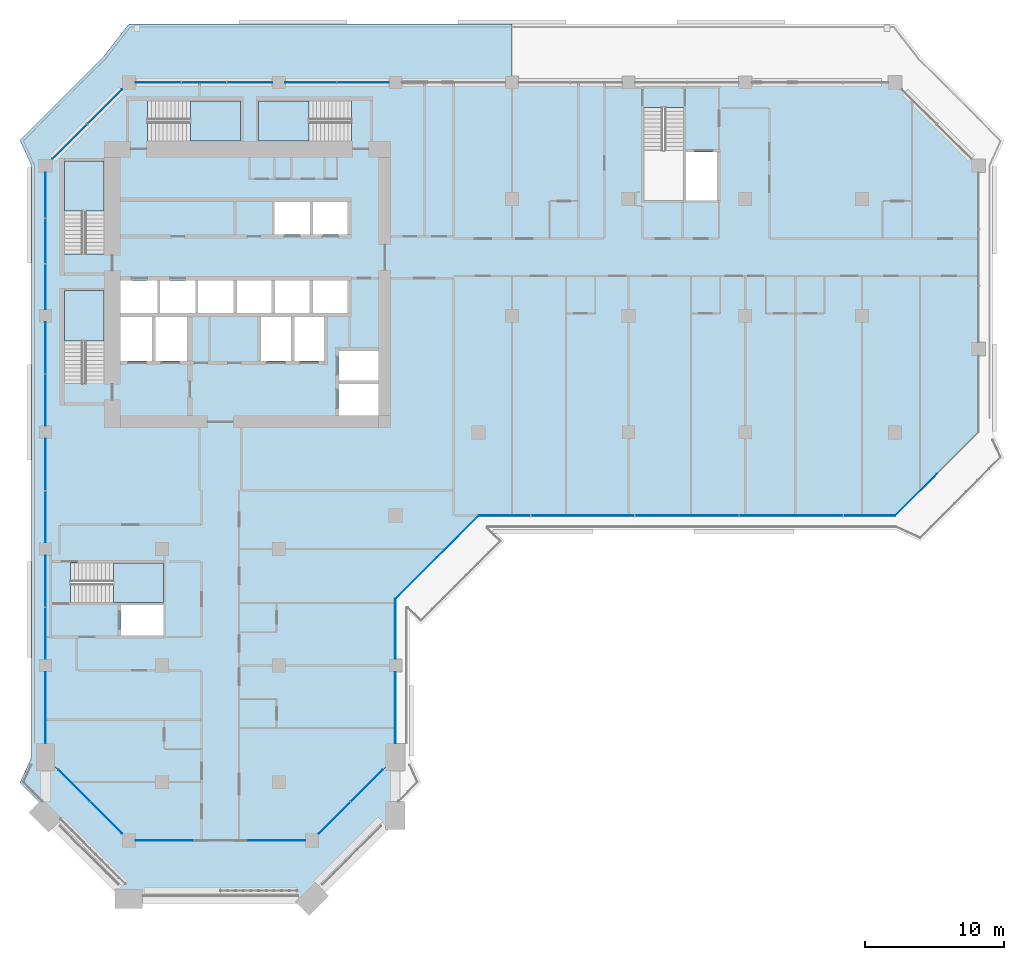
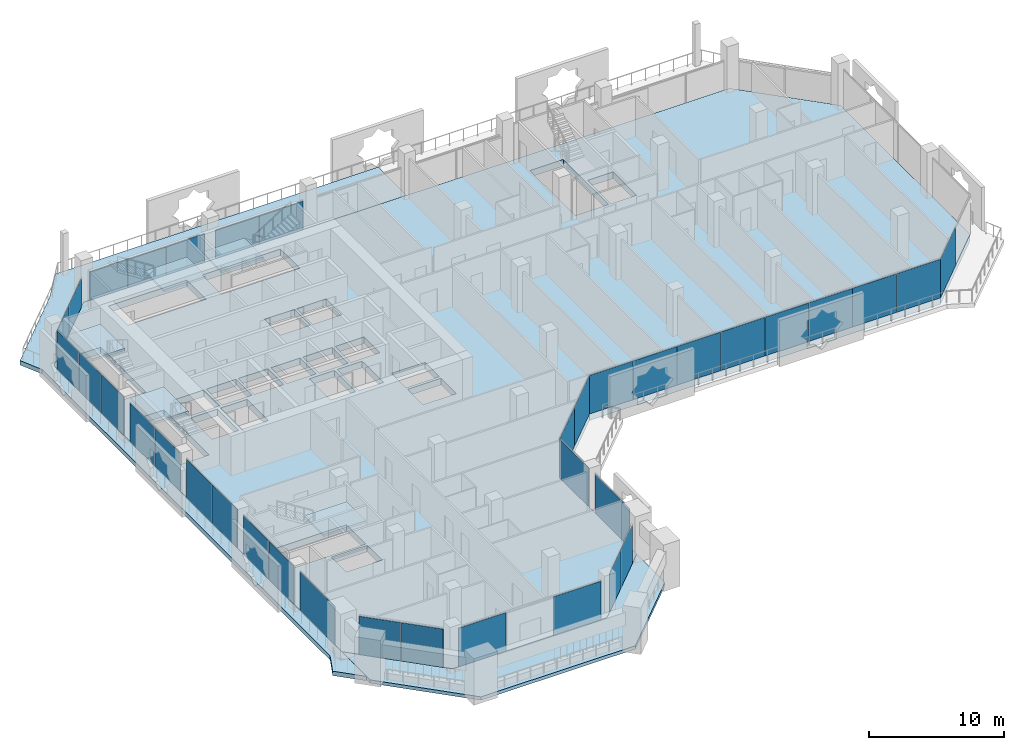
# One storey, part 8 of 22: 36 plates, 8 slabs, 15 elements without a shape of their own.
"""IFC4 building model written with IfcOpenShell, lengths in metres."""

from ifc_helpers import new_model, si_unit, direction, frame, origin, origin_2d, place, context, subcontext, project, spatial, polyline, rectangle, outline, extrude, material, layer, layer_set, type_object, element, aggregate, save


model = new_model("IFC4")

# Units and contexts
model_context = context("Model", 3, precision=1e-05, world=origin(), true_north=direction((0.0, 1.0)))
body_context = subcontext(model_context, "Body", "Model", "MODEL_VIEW")
ifc_project = project(units=[si_unit("LENGTHUNIT", "METRE"), si_unit("AREAUNIT", "SQUARE_METRE"), si_unit("VOLUMEUNIT", "CUBIC_METRE"), si_unit("PLANEANGLEUNIT", "RADIAN"), si_unit("MASSUNIT", "GRAM", prefix="KILO")], contexts=[model_context])

# Site, building, storey
site_placement = place(None, origin())
site = spatial("IfcSite", under=ifc_project, at=site_placement, CompositionType="ELEMENT")
building_placement = place(site_placement, origin())
building = spatial("IfcBuilding", under=site, at=building_placement, Name="Kawkab Arch Medical Tower", CompositionType="ELEMENT")
storey_placement = place(building_placement, frame((0.0, 0.0, 171.0)))
storey = spatial("IfcBuildingStorey", under=building, at=storey_placement, Name="L39", CompositionType="ELEMENT", Elevation=171.0)

# Curtain wall, plates
ifc_material_1 = material(Name="Bronze anodised aluminium curtain wall frame", Category="aluminium")
ifc_layer_1 = layer(ifc_material_1, 0.159912109375)
ifc_layer_set_1 = layer_set([ifc_layer_1], Name="Bronze anodised aluminium curtain wall frame")
curtain_wall_type_1 = type_object("IfcCurtainWallType", Name="CW1 ward curtain wall", PredefinedType="NOTDEFINED", material=ifc_layer_set_1)
placement_1 = place(storey_placement, origin())
curtain_wall_1 = element("IfcCurtainWall", 1, at=placement_1, inside=storey, type_object=curtain_wall_type_1, Name="CW1 Ward curtain wall R01", PredefinedType="NOTDEFINED")
ifc_material_2 = material(Name="Tinted insulating glass, bronze low-e coating", Category="glass")
ifc_layer_2 = layer(ifc_material_2, 0.031982421875)
ifc_layer_set_2 = layer_set([ifc_layer_2], Name="Tinted insulating glass, bronze low-e coating")
plate_type_1 = type_object("IfcPlateType", Name="CW1 glazing unit 32", PredefinedType="CURTAIN_PANEL", material=ifc_layer_set_2)
plate_1_placement = place(storey_placement, frame((0.0, -8.12255859375, 0.0), z_axis=(0.0, 0.0, 1.0), x_axis=(0.0, -1.0, 0.0)))
plate_1 = element("IfcPlate", 2, at=plate_1_placement, type_object=plate_type_1, Name="CW1 glazing unit 1.1", PredefinedType="CURTAIN_PANEL", context=body_context, shape_type="SweptSolid", body=[
    extrude(rectangle(XDim=3.2451171875, YDim=0.031982421875, at=origin_2d()), origin(), (0.0, 0.0, 1.0), 3.47998046875),
])
plate_2_placement = place(storey_placement, frame((0.0, -11.41259765625, 0.0), z_axis=(0.0, 0.0, 1.0), x_axis=(0.0, -1.0, 0.0)))
plate_2 = element("IfcPlate", 3, at=plate_2_placement, type_object=plate_type_1, Name="CW1 glazing unit 1.2", PredefinedType="CURTAIN_PANEL", context=body_context, shape_type="SweptSolid", body=[
    extrude(rectangle(XDim=3.215087890625, YDim=0.031982421875, at=origin_2d()), origin(), (0.0, 0.0, 1.0), 3.47998046875),
])
plate_3_placement = place(storey_placement, frame((0.0, -14.702392578125, 0.0), z_axis=(0.0, 0.0, 1.0), x_axis=(0.0, -1.0, 0.0)))
plate_3 = element("IfcPlate", 4, at=plate_3_placement, type_object=plate_type_1, Name="CW1 glazing unit 1.3", PredefinedType="CURTAIN_PANEL", context=body_context, shape_type="SweptSolid", body=[
    extrude(rectangle(XDim=3.2451171875, YDim=0.031982421875, at=origin_2d()), origin(), (0.0, 0.0, 1.0), 3.47998046875),
])
plate_4_placement = place(storey_placement, frame((0.0, -19.12255859375, 0.0), z_axis=(0.0, 0.0, 1.0), x_axis=(0.0, -1.0, 0.0)))
plate_4 = element("IfcPlate", 5, at=plate_4_placement, type_object=plate_type_1, Name="CW1 glazing unit 2.1", PredefinedType="CURTAIN_PANEL", context=body_context, shape_type="SweptSolid", body=[
    extrude(rectangle(XDim=3.695068359375, YDim=0.031982421875, at=origin_2d()), origin(), (0.0, 0.0, 1.0), 3.47998046875),
])
plate_5_placement = place(storey_placement, frame((0.0, -22.87744140625, 0.0), z_axis=(0.0, 0.0, 1.0), x_axis=(0.0, -1.0, 0.0)))
plate_5 = element("IfcPlate", 6, at=plate_5_placement, type_object=plate_type_1, Name="CW1 glazing unit 2.2", PredefinedType="CURTAIN_PANEL", context=body_context, shape_type="SweptSolid", body=[
    extrude(rectangle(XDim=3.695068359375, YDim=0.031982421875, at=origin_2d()), origin(), (0.0, 0.0, 1.0), 3.47998046875),
])
plate_6_placement = place(storey_placement, frame((0.0, -27.5224609375, 0.0), z_axis=(0.0, 0.0, 1.0), x_axis=(0.0, -1.0, 0.0)))
plate_6 = element("IfcPlate", 7, at=plate_6_placement, type_object=plate_type_1, Name="CW1 glazing unit 3.1", PredefinedType="CURTAIN_PANEL", context=body_context, shape_type="SweptSolid", body=[
    extrude(rectangle(XDim=3.695068359375, YDim=0.031982421875, at=origin_2d()), origin(), (0.0, 0.0, 1.0), 3.47998046875),
])
plate_7_placement = place(storey_placement, frame((0.0, -31.277587890625, 0.0), z_axis=(0.0, 0.0, 1.0), x_axis=(0.0, -1.0, 0.0)))
plate_7 = element("IfcPlate", 8, at=plate_7_placement, type_object=plate_type_1, Name="CW1 glazing unit 3.2", PredefinedType="CURTAIN_PANEL", context=body_context, shape_type="SweptSolid", body=[
    extrude(rectangle(XDim=3.695068359375, YDim=0.031982421875, at=origin_2d()), origin(), (0.0, 0.0, 1.0), 3.47998046875),
])
plate_8_placement = place(storey_placement, frame((0.0, -35.922607421875, 0.0), z_axis=(0.0, 0.0, 1.0), x_axis=(0.0, -1.0, 0.0)))
plate_8 = element("IfcPlate", 9, at=plate_8_placement, type_object=plate_type_1, Name="CW1 glazing unit 4.1", PredefinedType="CURTAIN_PANEL", context=body_context, shape_type="SweptSolid", body=[
    extrude(rectangle(XDim=3.695068359375, YDim=0.031982421875, at=origin_2d()), origin(), (0.0, 0.0, 1.0), 3.47998046875),
])
plate_9_placement = place(storey_placement, frame((0.0, -39.677490234375, 0.0), z_axis=(0.0, 0.0, 1.0), x_axis=(0.0, -1.0, 0.0)))
plate_9 = element("IfcPlate", 10, at=plate_9_placement, type_object=plate_type_1, Name="CW1 glazing unit 4.2", PredefinedType="CURTAIN_PANEL", context=body_context, shape_type="SweptSolid", body=[
    extrude(rectangle(XDim=3.695068359375, YDim=0.031982421875, at=origin_2d()), origin(), (0.0, 0.0, 1.0), 3.47998046875),
])
plate_10_placement = place(storey_placement, frame((0.0, -45.03759765625, 0.0), z_axis=(0.0, 0.0, 1.0), x_axis=(0.0, -1.0, 0.0)))
plate_10 = element("IfcPlate", 11, at=plate_10_placement, type_object=plate_type_1, Name="CW1 glazing unit 5.1", PredefinedType="CURTAIN_PANEL", context=body_context, shape_type="SweptSolid", body=[
    extrude(rectangle(XDim=5.125, YDim=0.031982421875, at=origin_2d()), origin(), (0.0, 0.0, 1.0), 3.47998046875),
])
aggregate(curtain_wall_1, [plate_1, plate_2, plate_3, plate_4, plate_5, plate_6, plate_7, plate_8, plate_9, plate_10])

curtain_wall_2 = element("IfcCurtainWall", 12, at=placement_1, inside=storey, type_object=curtain_wall_type_1, Name="CW1 Ward curtain wall R03", PredefinedType="NOTDEFINED")
plate_11_placement = place(storey_placement, frame((8.533447265625, -54.60009765625, 0.0), z_axis=(0.0, 0.0, 1.0), x_axis=(1.0, 0.0, 0.0)))
plate_11 = element("IfcPlate", 13, at=plate_11_placement, type_object=plate_type_1, Name="CW1 glazing unit 1.1", PredefinedType="CURTAIN_PANEL", context=body_context, shape_type="SweptSolid", body=[
    extrude(rectangle(XDim=4.066650390625, YDim=0.031982421875, at=origin_2d()), origin(), (0.0, 0.0, 1.0), 3.47998046875),
])
plate_12_placement = place(storey_placement, frame((16.666748046875, -54.60009765625, 0.0), z_axis=(0.0, 0.0, 1.0), x_axis=(1.0, 0.0, 0.0)))
plate_12 = element("IfcPlate", 14, at=plate_12_placement, type_object=plate_type_1, Name="CW1 glazing unit 1.3", PredefinedType="CURTAIN_PANEL", context=body_context, shape_type="SweptSolid", body=[
    extrude(rectangle(XDim=4.066650390625, YDim=0.031982421875, at=origin_2d()), origin(), (0.0, 0.0, 1.0), 3.47998046875),
])
aggregate(curtain_wall_2, [plate_11, plate_12])

curtain_wall_3 = element("IfcCurtainWall", 15, at=placement_1, inside=storey, type_object=curtain_wall_type_1, Name="CW1 Ward curtain wall R05", PredefinedType="NOTDEFINED")
plate_13_placement = place(storey_placement, frame((25.199951171875, -45.03759765625, 0.0), z_axis=(0.0, 0.0, 1.0), x_axis=(0.0, 1.0, 0.0)))
plate_13 = element("IfcPlate", 16, at=plate_13_placement, type_object=plate_type_1, Name="CW1 glazing unit 1.1", PredefinedType="CURTAIN_PANEL", context=body_context, shape_type="SweptSolid", body=[
    extrude(rectangle(XDim=5.125, YDim=0.031982421875, at=origin_2d()), origin(), (0.0, 0.0, 1.0), 3.47998046875),
])
plate_14_placement = place(storey_placement, frame((25.199951171875, -39.362548828125, 0.0), z_axis=(0.0, 0.0, 1.0), x_axis=(0.0, 1.0, 0.0)))
plate_14 = element("IfcPlate", 17, at=plate_14_placement, type_object=plate_type_1, Name="CW1 glazing unit 2.1", PredefinedType="CURTAIN_PANEL", context=body_context, shape_type="SweptSolid", body=[
    extrude(rectangle(XDim=4.324951171875, YDim=0.031982421875, at=origin_2d()), origin(), (0.0, 0.0, 1.0), 3.47998046875),
])
aggregate(curtain_wall_3, [plate_13, plate_14])

curtain_wall_4 = element("IfcCurtainWall", 18, at=placement_1, inside=storey, type_object=curtain_wall_type_1, Name="CW1 Ward curtain wall R07", PredefinedType="NOTDEFINED")
plate_15_placement = place(storey_placement, frame((33.06005859375, -31.199951171875, 0.0), z_axis=(0.0, 0.0, 1.0), x_axis=(1.0, 0.0, 0.0)))
plate_15 = element("IfcPlate", 19, at=plate_15_placement, type_object=plate_type_1, Name="CW1 glazing unit 1.1", PredefinedType="CURTAIN_PANEL", context=body_context, shape_type="SweptSolid", body=[
    extrude(rectangle(XDim=3.719970703125, YDim=0.031982421875, at=origin_2d()), origin(), (0.0, 0.0, 1.0), 3.47998046875),
])
plate_16_placement = place(storey_placement, frame((36.840087890625, -31.199951171875, 0.0), z_axis=(0.0, 0.0, 1.0), x_axis=(1.0, 0.0, 0.0)))
plate_16 = element("IfcPlate", 20, at=plate_16_placement, type_object=plate_type_1, Name="CW1 glazing unit 1.2", PredefinedType="CURTAIN_PANEL", context=body_context, shape_type="SweptSolid", body=[
    extrude(rectangle(XDim=3.719970703125, YDim=0.031982421875, at=origin_2d()), origin(), (0.0, 0.0, 1.0), 3.47998046875),
])
plate_17_placement = place(storey_placement, frame((40.56005859375, -31.199951171875, 0.0), z_axis=(0.0, 0.0, 1.0), x_axis=(1.0, 0.0, 0.0)))
plate_17 = element("IfcPlate", 21, at=plate_17_placement, type_object=plate_type_1, Name="CW1 glazing unit 2.1", PredefinedType="CURTAIN_PANEL", context=body_context, shape_type="SweptSolid", body=[
    extrude(rectangle(XDim=3.719970703125, YDim=0.031982421875, at=origin_2d()), origin(), (0.0, 0.0, 1.0), 3.47998046875),
])
plate_18_placement = place(storey_placement, frame((44.340087890625, -31.199951171875, 0.0), z_axis=(0.0, 0.0, 1.0), x_axis=(1.0, 0.0, 0.0)))
plate_18 = element("IfcPlate", 22, at=plate_18_placement, type_object=plate_type_1, Name="CW1 glazing unit 2.2", PredefinedType="CURTAIN_PANEL", context=body_context, shape_type="SweptSolid", body=[
    extrude(rectangle(XDim=3.719970703125, YDim=0.031982421875, at=origin_2d()), origin(), (0.0, 0.0, 1.0), 3.47998046875),
])
plate_19_placement = place(storey_placement, frame((48.06005859375, -31.199951171875, 0.0), z_axis=(0.0, 0.0, 1.0), x_axis=(1.0, 0.0, 0.0)))
plate_19 = element("IfcPlate", 23, at=plate_19_placement, type_object=plate_type_1, Name="CW1 glazing unit 3.1", PredefinedType="CURTAIN_PANEL", context=body_context, shape_type="SweptSolid", body=[
    extrude(rectangle(XDim=3.719970703125, YDim=0.031982421875, at=origin_2d()), origin(), (0.0, 0.0, 1.0), 3.47998046875),
])
plate_20_placement = place(storey_placement, frame((51.840087890625, -31.199951171875, 0.0), z_axis=(0.0, 0.0, 1.0), x_axis=(1.0, 0.0, 0.0)))
plate_20 = element("IfcPlate", 24, at=plate_20_placement, type_object=plate_type_1, Name="CW1 glazing unit 3.2", PredefinedType="CURTAIN_PANEL", context=body_context, shape_type="SweptSolid", body=[
    extrude(rectangle(XDim=3.719970703125, YDim=0.031982421875, at=origin_2d()), origin(), (0.0, 0.0, 1.0), 3.47998046875),
])
plate_21_placement = place(storey_placement, frame((55.56005859375, -31.199951171875, 0.0), z_axis=(0.0, 0.0, 1.0), x_axis=(1.0, 0.0, 0.0)))
plate_21 = element("IfcPlate", 25, at=plate_21_placement, type_object=plate_type_1, Name="CW1 glazing unit 4.1", PredefinedType="CURTAIN_PANEL", context=body_context, shape_type="SweptSolid", body=[
    extrude(rectangle(XDim=3.719970703125, YDim=0.031982421875, at=origin_2d()), origin(), (0.0, 0.0, 1.0), 3.47998046875),
])
plate_22_placement = place(storey_placement, frame((59.340087890625, -31.199951171875, 0.0), z_axis=(0.0, 0.0, 1.0), x_axis=(1.0, 0.0, 0.0)))
plate_22 = element("IfcPlate", 26, at=plate_22_placement, type_object=plate_type_1, Name="CW1 glazing unit 4.2", PredefinedType="CURTAIN_PANEL", context=body_context, shape_type="SweptSolid", body=[
    extrude(rectangle(XDim=3.719970703125, YDim=0.031982421875, at=origin_2d()), origin(), (0.0, 0.0, 1.0), 3.47998046875),
])
aggregate(curtain_wall_4, [plate_15, plate_16, plate_17, plate_18, plate_19, plate_20, plate_21, plate_22])

curtain_wall_5 = element("IfcCurtainWall", 27, at=placement_1, inside=storey, type_object=curtain_wall_type_1, Name="CW1 Ward curtain wall R11", PredefinedType="NOTDEFINED")
plate_23_placement = place(storey_placement, frame((22.87744140625, 0.0, 0.0), z_axis=(0.0, 0.0, 1.0), x_axis=(-1.0, 0.0, 0.0)))
plate_23 = element("IfcPlate", 28, at=plate_23_placement, type_object=plate_type_1, Name="CW1 glazing unit 5.1", PredefinedType="CURTAIN_PANEL", context=body_context, shape_type="SweptSolid", body=[
    extrude(rectangle(XDim=3.695068359375, YDim=0.031982421875, at=origin_2d()), origin(), (0.0, 0.0, 1.0), 2.580078125),
])
plate_24_placement = place(storey_placement, frame((19.12255859375, 0.0, 0.0), z_axis=(0.0, 0.0, 1.0), x_axis=(-1.0, 0.0, 0.0)))
plate_24 = element("IfcPlate", 29, at=plate_24_placement, type_object=plate_type_1, Name="CW1 glazing unit 5.2", PredefinedType="CURTAIN_PANEL", context=body_context, shape_type="SweptSolid", body=[
    extrude(rectangle(XDim=3.695068359375, YDim=0.031982421875, at=origin_2d()), origin(), (0.0, 0.0, 1.0), 2.580078125),
])
plate_25_placement = place(storey_placement, frame((14.702392578125, 0.0, 0.0), z_axis=(0.0, 0.0, 1.0), x_axis=(-1.0, 0.0, 0.0)))
plate_25 = element("IfcPlate", 30, at=plate_25_placement, type_object=plate_type_1, Name="CW1 glazing unit 6.1", PredefinedType="CURTAIN_PANEL", context=body_context, shape_type="SweptSolid", body=[
    extrude(rectangle(XDim=3.2451171875, YDim=0.031982421875, at=origin_2d()), origin(), (0.0, 0.0, 1.0), 2.580078125),
])
plate_26_placement = place(storey_placement, frame((11.41259765625, 0.0, 0.0), z_axis=(0.0, 0.0, 1.0), x_axis=(-1.0, 0.0, 0.0)))
plate_26 = element("IfcPlate", 31, at=plate_26_placement, type_object=plate_type_1, Name="CW1 glazing unit 6.2", PredefinedType="CURTAIN_PANEL", context=body_context, shape_type="SweptSolid", body=[
    extrude(rectangle(XDim=3.215087890625, YDim=0.031982421875, at=origin_2d()), origin(), (0.0, 0.0, 1.0), 2.580078125),
])
plate_27_placement = place(storey_placement, frame((8.12255859375, 0.0, 0.0), z_axis=(0.0, 0.0, 1.0), x_axis=(-1.0, 0.0, 0.0)))
plate_27 = element("IfcPlate", 32, at=plate_27_placement, type_object=plate_type_1, Name="CW1 glazing unit 6.3", PredefinedType="CURTAIN_PANEL", context=body_context, shape_type="SweptSolid", body=[
    extrude(rectangle(XDim=3.2451171875, YDim=0.031982421875, at=origin_2d()), origin(), (0.0, 0.0, 1.0), 2.580078125),
])
aggregate(curtain_wall_5, [plate_23, plate_24, plate_25, plate_26, plate_27])

ifc_material_3 = material(Name="Bronze anodised aluminium curtain wall frame", Category="aluminium")
ifc_layer_3 = layer(ifc_material_3, 0.159912109375)
ifc_layer_set_3 = layer_set([ifc_layer_3], Name="Bronze anodised aluminium curtain wall frame")
curtain_wall_type_2 = type_object("IfcCurtainWallType", Name="CW2 chamfer curtain wall", PredefinedType="NOTDEFINED", material=ifc_layer_set_3)
curtain_wall_6 = element("IfcCurtainWall", 33, at=placement_1, inside=storey, type_object=curtain_wall_type_2, Name="CW2 Chamfer curtain wall R02", PredefinedType="NOTDEFINED")
ifc_material_4 = material(Name="Tinted insulating glass, bronze low-e coating", Category="glass")
ifc_layer_4 = layer(ifc_material_4, 0.031982421875)
ifc_layer_set_4 = layer_set([ifc_layer_4], Name="Tinted insulating glass, bronze low-e coating")
plate_type_2 = type_object("IfcPlateType", Name="CW2 glazing unit 32", PredefinedType="CURTAIN_PANEL", material=ifc_layer_set_4)
plate_28_placement = place(storey_placement, frame((2.062255859375, -50.662109375, 0.0), z_axis=(0.0, 0.0, 1.0), x_axis=(0.707106781187, -0.707106781187, 0.0)))
plate_28 = element("IfcPlate", 34, at=plate_28_placement, type_object=plate_type_2, Name="CW2 glazing unit 1.1", PredefinedType="CURTAIN_PANEL", context=body_context, shape_type="SweptSolid", body=[
    extrude(rectangle(XDim=3.201171875, YDim=0.031982421875, at=origin_2d()), origin(), (0.0, 0.0, 1.0), 3.4599609375),
])
plate_29_placement = place(storey_placement, frame((4.3681640625, -52.96826171875, 0.0), z_axis=(0.0, 0.0, 1.0), x_axis=(0.707106781187, -0.707106781187, 0.0)))
plate_29 = element("IfcPlate", 35, at=plate_29_placement, type_object=plate_type_2, Name="CW2 glazing unit 1.2", PredefinedType="CURTAIN_PANEL", context=body_context, shape_type="SweptSolid", body=[
    extrude(rectangle(XDim=3.201171875, YDim=0.031982421875, at=origin_2d()), origin(), (0.0, 0.0, 1.0), 3.4599609375),
])
aggregate(curtain_wall_6, [plate_28, plate_29])

curtain_wall_7 = element("IfcCurtainWall", 36, at=placement_1, inside=storey, type_object=curtain_wall_type_2, Name="CW2 Chamfer curtain wall R04", PredefinedType="NOTDEFINED")
plate_30_placement = place(storey_placement, frame((20.831787109375, -52.96826171875, 0.0), z_axis=(0.0, 0.0, 1.0), x_axis=(0.707106781187, 0.707106781187, 0.0)))
plate_30 = element("IfcPlate", 37, at=plate_30_placement, type_object=plate_type_2, Name="CW2 glazing unit 1.1", PredefinedType="CURTAIN_PANEL", context=body_context, shape_type="SweptSolid", body=[
    extrude(rectangle(XDim=3.201171875, YDim=0.031982421875, at=origin_2d()), origin(), (0.0, 0.0, 1.0), 3.4599609375),
])
plate_31_placement = place(storey_placement, frame((23.137939453125, -50.662109375, 0.0), z_axis=(0.0, 0.0, 1.0), x_axis=(0.707106781187, 0.707106781187, 0.0)))
plate_31 = element("IfcPlate", 38, at=plate_31_placement, type_object=plate_type_2, Name="CW2 glazing unit 1.2", PredefinedType="CURTAIN_PANEL", context=body_context, shape_type="SweptSolid", body=[
    extrude(rectangle(XDim=3.201171875, YDim=0.031982421875, at=origin_2d()), origin(), (0.0, 0.0, 1.0), 3.4599609375),
])
aggregate(curtain_wall_7, [plate_30, plate_31])

curtain_wall_8 = element("IfcCurtainWall", 39, at=placement_1, inside=storey, type_object=curtain_wall_type_2, Name="CW2 Chamfer curtain wall R06", PredefinedType="NOTDEFINED")
plate_32_placement = place(storey_placement, frame((26.699951171875, -35.699951171875, 0.0), z_axis=(0.0, 0.0, 1.0), x_axis=(0.707106781187, 0.707106781187, 0.0)))
plate_32 = element("IfcPlate", 40, at=plate_32_placement, type_object=plate_type_2, Name="CW2 glazing unit 1.1", PredefinedType="CURTAIN_PANEL", context=body_context, shape_type="SweptSolid", body=[
    extrude(rectangle(XDim=4.24267578125, YDim=0.031982421875, at=origin_2d()), origin(), (0.0, 0.0, 1.0), 3.4599609375),
])
plate_33_placement = place(storey_placement, frame((29.699951171875, -32.699951171875, 0.0), z_axis=(0.0, 0.0, 1.0), x_axis=(0.707106781187, 0.707106781187, 0.0)))
plate_33 = element("IfcPlate", 41, at=plate_33_placement, type_object=plate_type_2, Name="CW2 glazing unit 2.1", PredefinedType="CURTAIN_PANEL", context=body_context, shape_type="SweptSolid", body=[
    extrude(rectangle(XDim=4.24267578125, YDim=0.031982421875, at=origin_2d()), origin(), (0.0, 0.0, 1.0), 3.4599609375),
])
aggregate(curtain_wall_8, [plate_32, plate_33])

# Curtain wall, plate
curtain_wall_9 = element("IfcCurtainWall", 42, at=placement_1, inside=storey, type_object=curtain_wall_type_2, Name="CW2 Chamfer curtain wall R08", PredefinedType="NOTDEFINED")
plate_34_placement = place(storey_placement, frame((62.699951171875, -29.699951171875, 0.0), z_axis=(0.0, 0.0, 1.0), x_axis=(0.707106781187, 0.707106781187, 0.0)))
plate_34 = element("IfcPlate", 43, at=plate_34_placement, type_object=plate_type_2, Name="CW2 glazing unit 1.1", PredefinedType="CURTAIN_PANEL", context=body_context, shape_type="SweptSolid", body=[
    extrude(rectangle(XDim=4.24267578125, YDim=0.031982421875, at=origin_2d()), origin(), (0.0, 0.0, 1.0), 3.4599609375),
])
aggregate(curtain_wall_9, [plate_34])

# Curtain wall, plates
curtain_wall_10 = element("IfcCurtainWall", 44, at=placement_1, inside=storey, type_object=curtain_wall_type_2, Name="CW2 Chamfer curtain wall R12", PredefinedType="NOTDEFINED")
plate_35_placement = place(storey_placement, frame((4.260498046875, -1.739501953125, 0.0), z_axis=(0.0, 0.0, 1.0), x_axis=(-0.707106781187, -0.707106781187, 0.0)))
plate_35 = element("IfcPlate", 45, at=plate_35_placement, type_object=plate_type_2, Name="CW2 glazing unit 1.1", PredefinedType="CURTAIN_PANEL", context=body_context, shape_type="SweptSolid", body=[
    extrude(rectangle(XDim=3.505615234375, YDim=0.031982421875, at=origin_2d()), origin(), (0.0, 0.0, 1.0), 2.56005859375),
])
plate_36_placement = place(storey_placement, frame((1.739501953125, -4.260498046875, 0.0), z_axis=(0.0, 0.0, 1.0), x_axis=(-0.707106781187, -0.707106781187, 0.0)))
plate_36 = element("IfcPlate", 46, at=plate_36_placement, type_object=plate_type_2, Name="CW2 glazing unit 1.2", PredefinedType="CURTAIN_PANEL", context=body_context, shape_type="SweptSolid", body=[
    extrude(rectangle(XDim=3.505615234375, YDim=0.031982421875, at=origin_2d()), origin(), (0.0, 0.0, 1.0), 2.56005859375),
])
aggregate(curtain_wall_10, [plate_35, plate_36])

# Stair, slab
ifc_material_5 = material(Name="Concrete C40/50", Category="concrete")
stair_type = type_object("IfcStairType", Name="Exit stair 1350", PredefinedType="HALF_TURN_STAIR", material=ifc_material_5)
stair_1 = element("IfcStair", 47, at=placement_1, inside=storey, type_object=stair_type, Name="L39 Exit stair ST1", PredefinedType="HALF_TURN_STAIR")
ifc_material_6 = material(Name="Concrete C40/50", Category="concrete")
ifc_layer_5 = layer(ifc_material_6, 0.199951171875)
ifc_layer_set_5 = layer_set([ifc_layer_5], Name="Concrete C40/50")
slab_type_1 = type_object("IfcSlabType", Name="Exit stair landing 200", PredefinedType="LANDING", material=ifc_layer_set_5)
placement_2 = place(storey_placement, frame((0.0, 0.0, 1.89990234375)))
slab_1 = element("IfcSlab", 48, at=placement_2, type_object=slab_type_1, Name="ST1 landing 1", PredefinedType="LANDING", context=body_context, shape_type="SweptSolid", body=[
    extrude(outline(polyline([(4.199951171875, -9.27001953125), (4.199951171875, -5.64990234375), (1.35009765625, -5.64990234375), (1.35009765625, -9.27001953125), (4.199951171875, -9.27001953125)])), origin(), (0.0, 0.0, 1.0), 0.2001953125),
])
aggregate(stair_1, [slab_1])

stair_2 = element("IfcStair", 49, at=placement_1, inside=storey, type_object=stair_type, Name="L39 Exit stair ST2", PredefinedType="HALF_TURN_STAIR")
slab_2 = element("IfcSlab", 50, at=placement_2, type_object=slab_type_1, Name="ST2 landing 1", PredefinedType="LANDING", context=body_context, shape_type="SweptSolid", body=[
    extrude(outline(polyline([(4.199951171875, -18.6201171875), (4.199951171875, -15.0), (1.35009765625, -15.0), (1.35009765625, -18.6201171875), (4.199951171875, -18.6201171875)])), origin(), (0.0, 0.0, 1.0), 0.2001953125),
])
aggregate(stair_2, [slab_2])

stair_3 = element("IfcStair", 51, at=placement_1, inside=storey, type_object=stair_type, Name="L39 Exit stair ST3", PredefinedType="HALF_TURN_STAIR")
slab_3 = element("IfcSlab", 52, at=placement_2, type_object=slab_type_1, Name="ST3 landing 1", PredefinedType="LANDING", context=body_context, shape_type="SweptSolid", body=[
    extrude(outline(polyline([(10.429931640625, -4.199951171875), (14.050048828125, -4.199951171875), (14.050048828125, -1.35009765625), (10.429931640625, -1.35009765625), (10.429931640625, -4.199951171875)])), origin(), (0.0, 0.0, 1.0), 0.2001953125),
])
aggregate(stair_3, [slab_3])

stair_4 = element("IfcStair", 53, at=placement_1, inside=storey, type_object=stair_type, Name="L39 Exit stair ST4", PredefinedType="HALF_TURN_STAIR")
slab_4 = element("IfcSlab", 54, at=placement_2, type_object=slab_type_1, Name="ST4 landing 1", PredefinedType="LANDING", context=body_context, shape_type="SweptSolid", body=[
    extrude(outline(polyline([(18.969970703125, -1.35009765625), (15.35009765625, -1.35009765625), (15.35009765625, -4.199951171875), (18.969970703125, -4.199951171875), (18.969970703125, -1.35009765625)])), origin(), (0.0, 0.0, 1.0), 0.2001953125),
])
aggregate(stair_4, [slab_4])

stair_5 = element("IfcStair", 55, at=placement_1, inside=storey, type_object=stair_type, Name="L39 Exit stair ST6", PredefinedType="HALF_TURN_STAIR")
slab_5 = element("IfcSlab", 56, at=placement_2, type_object=slab_type_1, Name="ST6 landing 1", PredefinedType="LANDING", context=body_context, shape_type="SweptSolid", body=[
    extrude(outline(polyline([(4.8798828125, -37.449951171875), (8.5, -37.449951171875), (8.5, -34.60009765625), (4.8798828125, -34.60009765625), (4.8798828125, -37.449951171875)])), origin(), (0.0, 0.0, 1.0), 0.2001953125),
])
aggregate(stair_5, [slab_5])

# Slabs
ifc_material_7 = material(Name="Concrete C45/55", Category="concrete")
ifc_layer_6 = layer(ifc_material_7, 0.60009765625)
ifc_layer_set_6 = layer_set([ifc_layer_6], Name="Concrete C45/55")
slab_type_2 = type_object("IfcSlabType", Name="Flat plate 600 C45/55", PredefinedType="FLOOR", material=ifc_layer_set_6)
slab_6_placement = place(storey_placement, frame((0.0, 0.0, -0.60009765625)))
element("IfcSlab", 57, at=slab_6_placement, inside=storey, type_object=slab_type_2, Name="Floor slab L39", PredefinedType="FLOOR", context=body_context, shape_type="SweptSolid", body=[
    extrude(outline(polyline([(6.0, 0.0), (61.199951171875, 0.0), (67.199951171875, -6.0), (67.199951171875, -25.199951171875), (61.199951171875, -31.199951171875), (31.199951171875, -31.199951171875), (25.199951171875, -37.199951171875), (25.199951171875, -48.60009765625), (19.199951171875, -54.60009765625), (6.0, -54.60009765625), (0.0, -48.60009765625), (0.0, -6.0), (6.0, 0.0)]), holes=[polyline([(5.425048828125, -37.64990234375), (5.425048828125, -39.85009765625), (8.5, -39.85009765625), (8.5, -37.64990234375), (5.425048828125, -37.64990234375)]), polyline([(8.5, -37.449951171875), (8.5, -34.60009765625), (1.800048828125, -34.60009765625), (1.800048828125, -37.449951171875), (8.5, -37.449951171875)]), polyline([(5.39990234375, -20.050048828125), (7.675048828125, -20.050048828125), (7.675048828125, -16.89990234375), (5.39990234375, -16.89990234375), (5.39990234375, -20.050048828125)]), polyline([(10.199951171875, -20.050048828125), (10.199951171875, -16.89990234375), (7.925048828125, -16.89990234375), (7.925048828125, -20.050048828125), (10.199951171875, -20.050048828125)]), polyline([(4.199951171875, -21.699951171875), (4.199951171875, -15.0), (1.35009765625, -15.0), (1.35009765625, -21.699951171875), (4.199951171875, -21.699951171875)]), polyline([(5.39990234375, -16.60009765625), (8.050048828125, -16.60009765625), (8.050048828125, -14.25), (5.39990234375, -14.25), (5.39990234375, -16.60009765625)]), polyline([(8.25, -16.60009765625), (10.800048828125, -16.60009765625), (10.800048828125, -14.25), (8.25, -14.25), (8.25, -16.60009765625)]), polyline([(11.0, -14.25), (11.0, -16.60009765625), (13.52490234375, -16.60009765625), (13.52490234375, -14.25), (11.0, -14.25)]), polyline([(13.77490234375, -16.60009765625), (16.27490234375, -16.60009765625), (16.27490234375, -14.25), (13.77490234375, -14.25), (13.77490234375, -16.60009765625)]), polyline([(4.199951171875, -12.35009765625), (4.199951171875, -5.64990234375), (1.35009765625, -5.64990234375), (1.35009765625, -12.35009765625), (4.199951171875, -12.35009765625)]), polyline([(7.35009765625, -4.199951171875), (14.050048828125, -4.199951171875), (14.050048828125, -1.35009765625), (7.35009765625, -1.35009765625), (7.35009765625, -4.199951171875)]), polyline([(24.0, -21.72509765625), (21.14990234375, -21.72509765625), (21.14990234375, -24.0), (24.0, -24.0), (24.0, -21.72509765625)]), polyline([(24.0, -19.35009765625), (21.14990234375, -19.35009765625), (21.14990234375, -21.47509765625), (24.0, -21.47509765625), (24.0, -19.35009765625)]), polyline([(17.675048828125, -16.89990234375), (15.52490234375, -16.89990234375), (15.52490234375, -20.050048828125), (17.675048828125, -20.050048828125), (17.675048828125, -16.89990234375)]), polyline([(20.050048828125, -20.050048828125), (20.050048828125, -16.89990234375), (17.925048828125, -16.89990234375), (17.925048828125, -20.050048828125), (20.050048828125, -20.050048828125)]), polyline([(19.02490234375, -16.60009765625), (19.02490234375, -14.25), (16.52490234375, -14.25), (16.52490234375, -16.60009765625), (19.02490234375, -16.60009765625)]), polyline([(21.75, -16.60009765625), (21.75, -14.25), (19.27490234375, -14.25), (19.27490234375, -16.60009765625), (21.75, -16.60009765625)]), polyline([(19.050048828125, -8.60009765625), (16.5, -8.60009765625), (16.5, -10.949951171875), (19.050048828125, -10.949951171875), (19.050048828125, -8.60009765625)]), polyline([(21.75, -10.949951171875), (21.75, -8.60009765625), (19.25, -8.60009765625), (19.25, -10.949951171875), (21.75, -10.949951171875)]), polyline([(46.14990234375, -8.5), (48.35009765625, -8.5), (48.35009765625, -5.02490234375), (46.14990234375, -5.02490234375), (46.14990234375, -8.5)]), polyline([(43.10009765625, -1.800048828125), (43.10009765625, -8.5), (45.949951171875, -8.5), (45.949951171875, -1.800048828125), (43.10009765625, -1.800048828125)]), polyline([(22.050048828125, -1.35009765625), (15.35009765625, -1.35009765625), (15.35009765625, -4.199951171875), (22.050048828125, -4.199951171875), (22.050048828125, -1.35009765625)])]), origin(), (0.0, 0.0, 1.0), 0.60009765625),
])
ifc_material_8 = material(Name="Concrete C40/50", Category="concrete")
ifc_layer_7 = layer(ifc_material_8, 0.39990234375)
ifc_layer_set_7 = layer_set([ifc_layer_7], Name="Concrete C40/50")
slab_type_3 = type_object("IfcSlabType", Name="Loggia slab 400", PredefinedType="FLOOR", material=ifc_layer_set_7)
slab_7_placement = place(storey_placement, frame((0.0, 0.0, -0.39990234375)))
element("IfcSlab", 58, at=slab_7_placement, inside=storey, type_object=slab_type_3, Name="Loggia slab L39.2", PredefinedType="FLOOR", context=body_context, shape_type="SweptSolid", body=[
    extrude(outline(polyline([(-1.0, -48.60009765625), (-1.0, -6.0), (-1.837890625, -4.162109375), (4.162109375, 1.837890625), (6.0, 4.199951171875), (33.60009765625, 4.199951171875), (33.60009765625, 0.0009765625), (6.0, 0.0009765625), (6.0, 0.0), (0.0, -6.0), (-0.0009765625, -6.0), (-0.0009765625, -48.60009765625), (0.0, -48.60009765625), (0.011962890625, -48.614013671875), (0.006103515625, -48.614013671875), (0.006103515625, -48.614990234375), (0.00390625, -48.614990234375), (0.0, -48.618896484375), (0.0, -48.62109375), (-0.0009765625, -48.62109375), (-0.0009765625, -52.27490234375), (-1.837890625, -50.43798828125), (-1.0, -48.60009765625)])), origin(), (0.0, 0.0, 1.0), 0.39990234375),
])
ifc_material_9 = material(Name="Concrete C40/50", Category="concrete")
ifc_layer_8 = layer(ifc_material_9, 0.300048828125)
ifc_layer_set_8 = layer_set([ifc_layer_8], Name="Concrete C40/50")
slab_type_4 = type_object("IfcSlabType", Name="Terrace slab 300", PredefinedType="FLOOR", material=ifc_layer_set_8)
slab_8_placement = place(storey_placement, frame((0.0, 0.0, -0.300048828125)))
element("IfcSlab", 59, at=slab_8_placement, inside=storey, type_object=slab_type_4, Name="Terrace slab L39.1", PredefinedType="FLOOR", context=body_context, shape_type="SweptSolid", body=[
    extrude(outline(polyline([(25.199951171875, -52.7958984375), (25.199951171875, -48.625), (25.199951171875, -48.6240234375), (25.199951171875, -48.623046875), (25.199951171875, -48.6220703125), (25.198974609375, -48.62109375), (25.198974609375, -48.6201171875), (25.197998046875, -48.618896484375), (25.197021484375, -48.617919921875), (25.196044921875, -48.616943359375), (25.195068359375, -48.615966796875), (25.194091796875, -48.615966796875), (25.193115234375, -48.614990234375), (25.19189453125, -48.614990234375), (25.19091796875, -48.614990234375), (25.18994140625, -48.614990234375), (25.18896484375, -48.614990234375), (25.18798828125, -48.614990234375), (25.18701171875, -48.614990234375), (25.18603515625, -48.615966796875), (25.18505859375, -48.615966796875), (25.18408203125, -48.616943359375), (25.18310546875, -48.617919921875), (19.199951171875, -54.60009765625), (19.199951171875, -54.60107421875), (6.0, -54.60107421875), (6.0, -54.60009765625), (0.01708984375, -48.617919921875), (0.01611328125, -48.616943359375), (0.014892578125, -48.615966796875), (0.013916015625, -48.615966796875), (0.012939453125, -48.614990234375), (0.011962890625, -48.614990234375), (0.010986328125, -48.614990234375), (0.010009765625, -48.614990234375), (0.009033203125, -48.614990234375), (0.008056640625, -48.614990234375), (0.007080078125, -48.614990234375), (0.006103515625, -48.615966796875), (0.0048828125, -48.615966796875), (0.00390625, -48.616943359375), (0.0029296875, -48.617919921875), (0.001953125, -48.618896484375), (0.0009765625, -48.6201171875), (0.0009765625, -48.62109375), (0.0, -48.6220703125), (0.0, -48.623046875), (0.0, -48.6240234375), (0.0, -48.625), (0.0, -52.7958984375), (0.0, -52.797119140625), (0.0, -52.798095703125), (0.0, -52.799072265625), (0.0009765625, -52.800048828125), (0.0009765625, -52.801025390625), (0.001953125, -52.801025390625), (0.001953125, -52.802001953125), (0.0029296875, -52.802978515625), (5.9970703125, -58.797119140625), (5.998046875, -58.798095703125), (5.9990234375, -58.798095703125), (5.9990234375, -58.799072265625), (6.0, -58.799072265625), (6.0009765625, -58.800048828125), (6.001953125, -58.800048828125), (6.0029296875, -58.800048828125), (6.00390625, -58.800048828125), (19.196044921875, -58.800048828125), (19.197021484375, -58.800048828125), (19.197998046875, -58.800048828125), (19.198974609375, -58.800048828125), (19.199951171875, -58.799072265625), (19.200927734375, -58.799072265625), (19.200927734375, -58.798095703125), (19.201904296875, -58.798095703125), (19.202880859375, -58.797119140625), (25.197021484375, -52.802978515625), (25.197998046875, -52.802001953125), (25.197998046875, -52.801025390625), (25.198974609375, -52.801025390625), (25.198974609375, -52.800048828125), (25.199951171875, -52.799072265625), (25.199951171875, -52.798095703125), (25.199951171875, -52.797119140625), (25.199951171875, -52.7958984375)])), origin(), (0.0, 0.0, 1.0), 0.300048828125),
])

save(model, "model.ifc")
